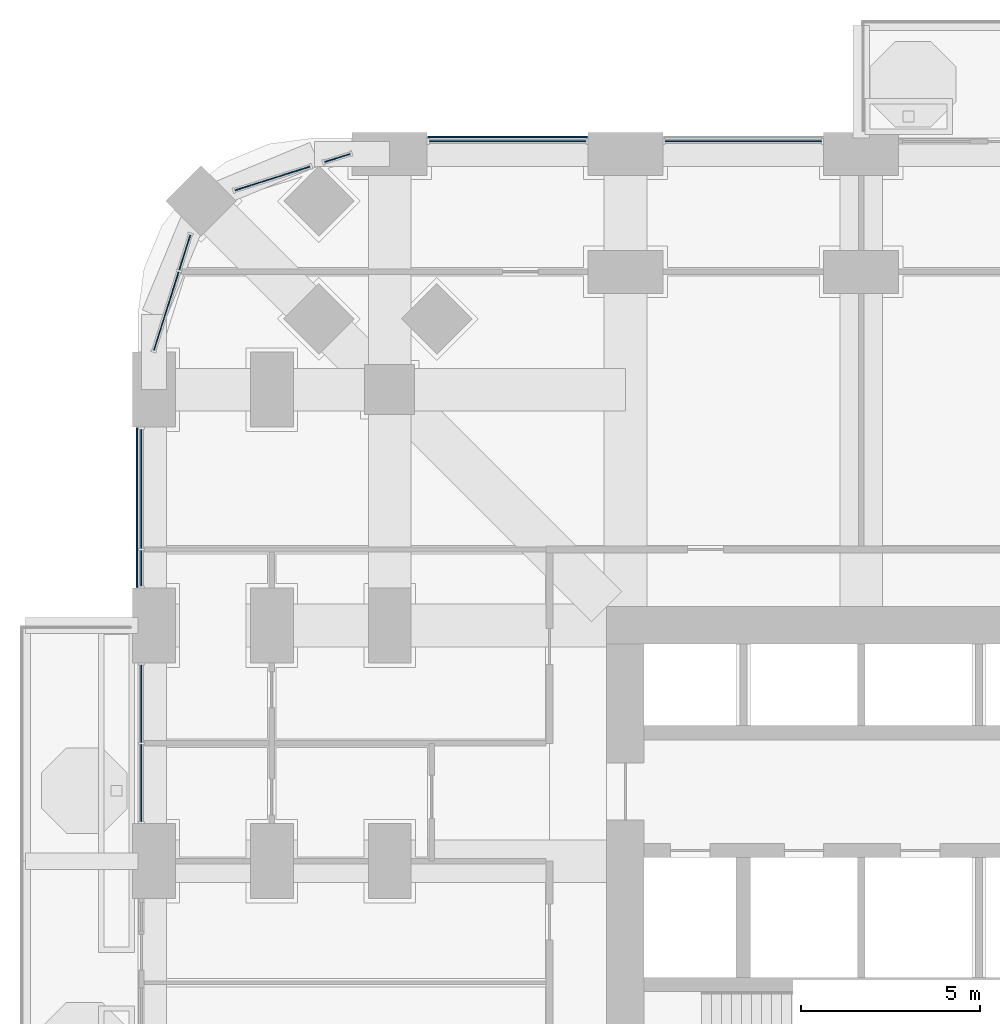
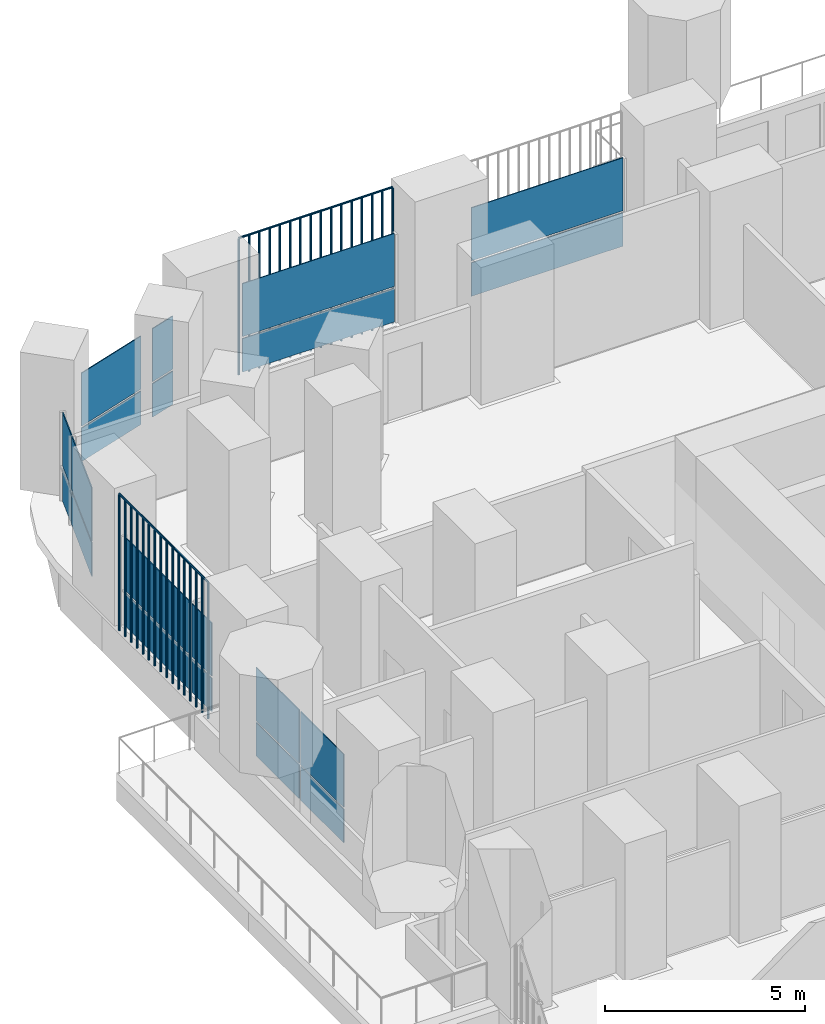
# One storey, part 14 of 26: 22 plates, 7 elements without a shape of their own.
"""IFC4 building model written with IfcOpenShell, lengths in metres."""

import ifcopenshell
import ifcopenshell.guid

model = None  # the IFC model being written
_history = None  # IfcOwnerHistory: only IFC2X3 demands one
_inside = {}  # id of a spatial element -> (the spatial element, [elements in it])
_under = {}  # id of a project, library or spatial element -> (it, [spatial elements below it])
_declared = {}  # id of a project -> (the project, [libraries it declares])
_typed = {}  # id of a type object -> (the type object, [elements of that type])
_made_of = {}  # id of a material, layer set ... -> (it, [elements and type objects made of it])


def new_model(schema):
    """Start an empty IFC model of exactly this schema.

    Asked for "IFC4X3", IfcOpenShell would pick the latest addendum, in which some entities
    have other attributes; the version numbers below select the first issue.
    IFC2X3 requires an IfcOwnerHistory on every rooted entity: one is made here for all.
    """
    global model, _history
    if schema == "IFC4X3":
        model = ifcopenshell.file(schema_version=(4, 3, 0, 0))
    else:
        model = ifcopenshell.file(schema=schema)
    _inside.clear()
    _under.clear()
    _declared.clear()
    _typed.clear()
    _made_of.clear()
    _history = None
    if model.schema == "IFC2X3":
        org = make("IfcOrganization", Name="unknown")
        user = make(
            "IfcPersonAndOrganization",
            ThePerson=make("IfcPerson", FamilyName="unknown"),
            TheOrganization=org,
        )
        app = make(
            "IfcApplication",
            ApplicationDeveloper=org,
            Version="unknown",
            ApplicationFullName="unknown",
            ApplicationIdentifier="unknown",
        )
        _history = make(
            "IfcOwnerHistory",
            OwningUser=user,
            OwningApplication=app,
            ChangeAction="ADDED",
            CreationDate=0,
        )
    return model


def make(cls, **values):
    """One entity of the class cls with the attributes given. An attribute that is None is left unset."""
    return model.create_entity(
        cls, **{name: value for name, value in values.items() if value is not None}
    )


def rooted(cls, **values):
    """An entity with a GlobalId (a new one), such as an element, a storey or a relation."""
    return make(cls, GlobalId=ifcopenshell.guid.new(), OwnerHistory=_history, **values)


def si_unit(unit_type, name, prefix=None):
    """IfcSIUnit, for example si_unit("LENGTHUNIT", "METRE", prefix="MILLI")."""
    return make("IfcSIUnit", UnitType=unit_type, Prefix=prefix, Name=name)


def assignment(units):
    """IfcUnitAssignment: the units of a project."""
    return None if units is None else make("IfcUnitAssignment", Units=units)


def point(xyz):
    """IfcCartesianPoint."""
    return None if xyz is None else make("IfcCartesianPoint", Coordinates=xyz)


def direction(xyz):
    """IfcDirection."""
    return None if xyz is None else make("IfcDirection", DirectionRatios=xyz)


def frame(location, z_axis=None, x_axis=None):
    """IfcAxis2Placement3D, a coordinate frame: its origin and axes. An axis left out is left unset."""
    return make(
        "IfcAxis2Placement3D",
        Location=point(location),
        Axis=direction(z_axis),
        RefDirection=direction(x_axis),
    )


def frame_2d(location, x_axis=None):
    """IfcAxis2Placement2D, a coordinate frame in the plane: its origin and x axis."""
    return make(
        "IfcAxis2Placement2D", Location=point(location), RefDirection=direction(x_axis)
    )


def origin():
    """The frame at (0, 0, 0) with its axes left unset."""
    return frame((0.0, 0.0, 0.0))


def origin_2d():
    """The frame at (0, 0) in the plane with its x axis left unset."""
    return frame_2d((0.0, 0.0))


def place(relative_to, where):
    """IfcLocalPlacement: puts the frame where relative to a parent placement (None: the world)."""
    return make(
        "IfcLocalPlacement", PlacementRelTo=relative_to, RelativePlacement=where
    )


def context(
    kind, dimensions, precision=None, world=None, true_north=None, identifier=None
):
    """IfcGeometricRepresentationContext, for example the 3D "Model" context."""
    return make(
        "IfcGeometricRepresentationContext",
        ContextIdentifier=identifier,
        ContextType=kind,
        CoordinateSpaceDimension=dimensions,
        Precision=precision,
        WorldCoordinateSystem=world,
        TrueNorth=true_north,
    )


def subcontext(parent, identifier, kind, view, scale=None):
    """IfcGeometricRepresentationSubContext, for example "Body" below "Model"."""
    return make(
        "IfcGeometricRepresentationSubContext",
        ContextIdentifier=identifier,
        ContextType=kind,
        ParentContext=parent,
        TargetScale=scale,
        TargetView=view,
    )


def project(units=None, contexts=None):
    """IfcProject with its units and contexts."""
    return rooted(
        "IfcProject",
        Name="project",
        RepresentationContexts=contexts,
        UnitsInContext=assignment(units),
    )


def spatial(cls, under=None, at=None, **own):
    """A site, building, storey or space (cls), placed at a placement, below another one or the project."""
    s = rooted(cls, ObjectPlacement=at, **own)
    if under is not None:
        _under.setdefault(under.id(), (under, []))[1].append(s)
    return s


def polyline(points):
    """IfcPolyline through the points."""
    return make("IfcPolyline", Points=[point(p) for p in points])


def profile(cls, at=None, kind="AREA", **sizes):
    """A parametric profile (cls). Its sizes go by their IFC names, for example OverallWidth=200.0."""
    return make(cls, ProfileType=kind, Position=at, **sizes)


def rectangle(**sizes):
    """IfcRectangleProfileDef."""
    return profile("IfcRectangleProfileDef", **sizes)


def outline(outer, holes=None, kind="AREA"):
    """IfcArbitraryClosedProfileDef: a profile drawn as a closed curve; with holes, ...WithVoids."""
    if holes is None:
        return make("IfcArbitraryClosedProfileDef", ProfileType=kind, OuterCurve=outer)
    return make(
        "IfcArbitraryProfileDefWithVoids",
        ProfileType=kind,
        OuterCurve=outer,
        InnerCurves=holes,
    )


def extrude(swept, where, along, depth):
    """IfcExtrudedAreaSolid: the profile swept, set in the frame where, extruded along a direction by depth."""
    return make(
        "IfcExtrudedAreaSolid",
        SweptArea=swept,
        Position=where,
        ExtrudedDirection=direction(along),
        Depth=depth,
    )


def shape(context_of_items, identifier, shape_type, items):
    """IfcShapeRepresentation: the items that make up one representation, for example the "Body"."""
    return make(
        "IfcShapeRepresentation",
        ContextOfItems=context_of_items,
        RepresentationIdentifier=identifier,
        RepresentationType=shape_type,
        Items=items,
    )


def material(Name=None, Category=None):
    """IfcMaterial."""
    return make("IfcMaterial", Name=Name, Category=Category)


def layer(
    of_material, thickness, ventilated=None, Name=None, Category=None, Priority=None
):
    """IfcMaterialLayer: one layer of a wall or slab, of a material (None: an air gap)."""
    return make(
        "IfcMaterialLayer",
        Material=of_material,
        LayerThickness=thickness,
        IsVentilated=ventilated,
        Name=Name,
        Category=Category,
        Priority=Priority,
    )


def layer_set(layers, Name=None):
    """IfcMaterialLayerSet."""
    return make("IfcMaterialLayerSet", MaterialLayers=layers, LayerSetName=Name)


def made_of(thing, what):
    """Note that an element or type object is made of a material, layer set ...; save() writes the relation."""
    if what is not None:
        _made_of.setdefault(what.id(), (what, []))[1].append(thing)
    return thing


def type_object(cls, material=None, **own):
    """A type object (cls), such as IfcWallType, which elements share."""
    return made_of(rooted(cls, **own), material)


def element(
    cls,
    number,
    at=None,
    inside=None,
    cuts=None,
    type_object=None,
    material=None,
    context=None,
    identifier="Body",
    shape_type=None,
    held_by="IfcProductDefinitionShape",
    body=None,
    shapes=None,
    **own,
):
    """One element of the class cls, such as IfcWall. Its Tag is "e" and its number.

    at: its placement. inside: the storey or other place that contains it. cuts: it is an
    opening in that element (IfcRelVoidsElement). A single representation is given by context,
    identifier, shape_type and body (its items); several are given by shapes. held_by: the class
    of the entity that holds the representations. save() writes the other relations.
    """
    e = rooted(cls, Tag="e%d" % number, ObjectPlacement=at, **own)
    if body is not None:
        shapes = [shape(context, identifier, shape_type, body)]
    if shapes is not None:
        e.Representation = make(held_by, Representations=shapes)
    if inside is not None:
        _inside.setdefault(inside.id(), (inside, []))[1].append(e)
    if cuts is not None:
        rooted(
            "IfcRelVoidsElement", RelatingBuildingElement=cuts, RelatedOpeningElement=e
        )
    if type_object is not None:
        _typed.setdefault(type_object.id(), (type_object, []))[1].append(e)
    return made_of(e, material)


def aggregate(whole, parts):
    """IfcRelAggregates: a whole, such as a stair, and the parts it consists of."""
    return rooted("IfcRelAggregates", RelatingObject=whole, RelatedObjects=parts)


def save(model, path):
    """Write the relations noted so far, then the file.

    IfcRelAggregates (storeys below a building ...), IfcRelContainedInSpatialStructure (elements
    in a storey), IfcRelDefinesByType, IfcRelAssociatesMaterial and IfcRelDeclares: one each for
    every whole, place, type object, material and project.
    """
    for whole, parts in _under.values():
        aggregate(whole, parts)
    for where, things in _inside.values():
        rooted(
            "IfcRelContainedInSpatialStructure",
            RelatedElements=things,
            RelatingStructure=where,
        )
    for kind, things in _typed.values():
        rooted("IfcRelDefinesByType", RelatedObjects=things, RelatingType=kind)
    for what, things in _made_of.values():
        rooted("IfcRelAssociatesMaterial", RelatedObjects=things, RelatingMaterial=what)
    for by, libraries in _declared.values():
        rooted("IfcRelDeclares", RelatingContext=by, RelatedDefinitions=libraries)
    model.write(path)


model = new_model("IFC4")

# Units and contexts
model_context = context("Model", 3, precision=1e-05, world=origin(), true_north=direction((0.0, 1.0)))
body_context = subcontext(model_context, "Body", "Model", "MODEL_VIEW")
ifc_project = project(units=[si_unit("LENGTHUNIT", "METRE"), si_unit("AREAUNIT", "SQUARE_METRE"), si_unit("VOLUMEUNIT", "CUBIC_METRE"), si_unit("PLANEANGLEUNIT", "RADIAN"), si_unit("MASSUNIT", "GRAM", prefix="KILO")], contexts=[model_context])

# Site, building, storey
site_placement = place(None, origin())
site = spatial("IfcSite", under=ifc_project, at=site_placement, CompositionType="ELEMENT")
building_placement = place(site_placement, origin())
building = spatial("IfcBuilding", under=site, at=building_placement, Name="Cobogo Forest Laboratory Tower", CompositionType="ELEMENT")
storey_placement = place(building_placement, frame((0.0, 0.0, 42.300048828125)))
storey = spatial("IfcBuildingStorey", under=building, at=storey_placement, Name="L09", CompositionType="ELEMENT", Elevation=42.300048828125)

# Curtain wall, plates
ifc_material_1 = material(Name="Aluminium curtain wall", Category="aluminium")
curtain_wall_type = type_object("IfcCurtainWallType", Name="CW-1 unitised curtain wall, clear glazing, laboratory floors zones A and B", PredefinedType="USERDEFINED", material=ifc_material_1)
curtain_wall_1_placement = place(storey_placement, origin())
curtain_wall_1 = element("IfcCurtainWall", 1, at=curtain_wall_1_placement, inside=storey, type_object=curtain_wall_type, Name="Curtain wall 22 L09", ObjectType="UNITISED CURTAIN WALL", PredefinedType="USERDEFINED")
ifc_material_2 = material(Name="Clear insulated glass", Category="glass")
ifc_layer = layer(ifc_material_2, 0.028076171875)
ifc_layer_set = layer_set([ifc_layer], Name="GP-1 clear insulated glass unit 28")
plate_type_1 = type_object("IfcPlateType", Name="GP-1 clear insulated glass unit 28", PredefinedType="CURTAIN_PANEL", material=ifc_layer_set)
plate_1_placement = place(storey_placement, frame((16.5, 46.550048828125, 0.0), z_axis=(0.0, 0.0, 1.0), x_axis=(-1.0, 0.0, 0.0)))
plate_1 = element("IfcPlate", 2, at=plate_1_placement, type_object=plate_type_1, Name="CW-1 panel 1.1", PredefinedType="CURTAIN_PANEL", context=body_context, shape_type="SweptSolid", body=[
    extrude(rectangle(XDim=4.3798828125, YDim=0.028076171875, at=origin_2d()), origin(), (0.0, 0.0, 1.0), 1.02001953125),
])
plate_2_placement = place(storey_placement, frame((16.5, 46.550048828125, 1.079833984375), z_axis=(0.0, 0.0, 1.0), x_axis=(-1.0, 0.0, 0.0)))
plate_2 = element("IfcPlate", 3, at=plate_2_placement, type_object=plate_type_1, Name="CW-1 panel 1.2", PredefinedType="CURTAIN_PANEL", context=body_context, shape_type="SweptSolid", body=[
    extrude(rectangle(XDim=4.3798828125, YDim=0.028076171875, at=origin_2d()), origin(), (0.0, 0.0, 1.0), 1.6201171875),
])
aggregate(curtain_wall_1, [plate_1, plate_2])

curtain_wall_2_placement = place(storey_placement, origin())
curtain_wall_2 = element("IfcCurtainWall", 4, at=curtain_wall_2_placement, inside=storey, type_object=curtain_wall_type, Name="Curtain wall 23 L09", ObjectType="UNITISED CURTAIN WALL", PredefinedType="USERDEFINED")
plate_3_placement = place(storey_placement, frame((9.89990234375, 46.550048828125, 0.0), z_axis=(0.0, 0.0, 1.0), x_axis=(-1.0, 0.0, 0.0)))
plate_3 = element("IfcPlate", 5, at=plate_3_placement, type_object=plate_type_1, Name="CW-1 panel 1.1", PredefinedType="CURTAIN_PANEL", context=body_context, shape_type="SweptSolid", body=[
    extrude(rectangle(XDim=4.3798828125, YDim=0.028076171875, at=origin_2d()), origin(), (0.0, 0.0, 1.0), 1.02001953125),
])
plate_4_placement = place(storey_placement, frame((9.89990234375, 46.550048828125, 1.079833984375), z_axis=(0.0, 0.0, 1.0), x_axis=(-1.0, 0.0, 0.0)))
plate_4 = element("IfcPlate", 6, at=plate_4_placement, type_object=plate_type_1, Name="CW-1 panel 1.2", PredefinedType="CURTAIN_PANEL", context=body_context, shape_type="SweptSolid", body=[
    extrude(rectangle(XDim=4.3798828125, YDim=0.028076171875, at=origin_2d()), origin(), (0.0, 0.0, 1.0), 1.6201171875),
])
aggregate(curtain_wall_2, [plate_3, plate_4])

curtain_wall_3_placement = place(storey_placement, origin())
curtain_wall_3 = element("IfcCurtainWall", 7, at=curtain_wall_3_placement, inside=storey, type_object=curtain_wall_type, Name="Curtain wall 24 L09", ObjectType="UNITISED CURTAIN WALL", PredefinedType="USERDEFINED")
plate_5_placement = place(storey_placement, frame((5.134033203125, 46.087158203125, 0.0), z_axis=(0.0, 0.0, 1.0), x_axis=(-0.953581504428, -0.301135043481, 0.0)))
plate_5 = element("IfcPlate", 8, at=plate_5_placement, type_object=plate_type_1, Name="CW-1 panel 1.1", PredefinedType="CURTAIN_PANEL", context=body_context, shape_type="SweptSolid", body=[
    extrude(rectangle(XDim=0.75244140625, YDim=0.028076171875, at=origin_2d()), origin(), (0.0, 0.0, 1.0), 1.02001953125),
])
plate_6_placement = place(storey_placement, frame((5.134033203125, 46.087158203125, 1.079833984375), z_axis=(0.0, 0.0, 1.0), x_axis=(-0.953581504428, -0.301135043481, 0.0)))
plate_6 = element("IfcPlate", 9, at=plate_6_placement, type_object=plate_type_1, Name="CW-1 panel 1.2", PredefinedType="CURTAIN_PANEL", context=body_context, shape_type="SweptSolid", body=[
    extrude(rectangle(XDim=0.75244140625, YDim=0.028076171875, at=origin_2d()), origin(), (0.0, 0.0, 1.0), 1.6201171875),
])
aggregate(curtain_wall_3, [plate_5, plate_6])

curtain_wall_4_placement = place(storey_placement, origin())
curtain_wall_4 = element("IfcCurtainWall", 10, at=curtain_wall_4_placement, inside=storey, type_object=curtain_wall_type, Name="Curtain wall 25 L09", ObjectType="UNITISED CURTAIN WALL", PredefinedType="USERDEFINED")
plate_7_placement = place(storey_placement, frame((3.31787109375, 45.513427734375, 0.0), z_axis=(0.0, 0.0, 1.0), x_axis=(-0.953581409645, -0.301135343623, 0.0)))
plate_7 = element("IfcPlate", 11, at=plate_7_placement, type_object=plate_type_1, Name="CW-1 panel 1.1", PredefinedType="CURTAIN_PANEL", context=body_context, shape_type="SweptSolid", body=[
    extrude(rectangle(XDim=2.203369140625, YDim=0.028076171875, at=origin_2d()), origin(), (0.0, 0.0, 1.0), 1.02001953125),
])
plate_8_placement = place(storey_placement, frame((3.31787109375, 45.513427734375, 1.079833984375), z_axis=(0.0, 0.0, 1.0), x_axis=(-0.953581409645, -0.301135343623, 0.0)))
plate_8 = element("IfcPlate", 12, at=plate_8_placement, type_object=plate_type_1, Name="CW-1 panel 1.2", PredefinedType="CURTAIN_PANEL", context=body_context, shape_type="SweptSolid", body=[
    extrude(rectangle(XDim=2.203369140625, YDim=0.028076171875, at=origin_2d()), origin(), (0.0, 0.0, 1.0), 1.6201171875),
])
aggregate(curtain_wall_4, [plate_7, plate_8])

curtain_wall_5_placement = place(storey_placement, origin())
curtain_wall_5 = element("IfcCurtainWall", 13, at=curtain_wall_5_placement, inside=storey, type_object=curtain_wall_type, Name="Curtain wall 26 L09", ObjectType="UNITISED CURTAIN WALL", PredefinedType="USERDEFINED")
plate_9_placement = place(storey_placement, frame((0.863525390625, 43.442626953125, 0.0), z_axis=(0.0, 0.0, 1.0), x_axis=(-0.30113535792, -0.95358140513, 0.0)))
plate_9 = element("IfcPlate", 14, at=plate_9_placement, type_object=plate_type_1, Name="CW-1 panel 1.1", PredefinedType="CURTAIN_PANEL", context=body_context, shape_type="SweptSolid", body=[
    extrude(rectangle(XDim=1.027587890625, YDim=0.028076171875, at=origin_2d()), origin(), (0.0, 0.0, 1.0), 1.02001953125),
])
plate_10_placement = place(storey_placement, frame((0.863525390625, 43.442626953125, 1.079833984375), z_axis=(0.0, 0.0, 1.0), x_axis=(-0.30113535792, -0.95358140513, 0.0)))
plate_10 = element("IfcPlate", 15, at=plate_10_placement, type_object=plate_type_1, Name="CW-1 panel 1.2", PredefinedType="CURTAIN_PANEL", context=body_context, shape_type="SweptSolid", body=[
    extrude(rectangle(XDim=1.027587890625, YDim=0.028076171875, at=origin_2d()), origin(), (0.0, 0.0, 1.0), 1.6201171875),
])
plate_11_placement = place(storey_placement, frame((0.34521484375, 41.80126953125, 0.0), z_axis=(0.0, 0.0, 1.0), x_axis=(-0.30113535792, -0.95358140513, 0.0)))
plate_11 = element("IfcPlate", 16, at=plate_11_placement, type_object=plate_type_1, Name="CW-1 panel 2.1", PredefinedType="CURTAIN_PANEL", context=body_context, shape_type="SweptSolid", body=[
    extrude(rectangle(XDim=2.294677734375, YDim=0.028076171875, at=origin_2d()), origin(), (0.0, 0.0, 1.0), 1.02001953125),
])
plate_12_placement = place(storey_placement, frame((0.34521484375, 41.80126953125, 1.079833984375), z_axis=(0.0, 0.0, 1.0), x_axis=(-0.30113535792, -0.95358140513, 0.0)))
plate_12 = element("IfcPlate", 17, at=plate_12_placement, type_object=plate_type_1, Name="CW-1 panel 2.2", PredefinedType="CURTAIN_PANEL", context=body_context, shape_type="SweptSolid", body=[
    extrude(rectangle(XDim=2.294677734375, YDim=0.028076171875, at=origin_2d()), origin(), (0.0, 0.0, 1.0), 1.6201171875),
])
aggregate(curtain_wall_5, [plate_9, plate_10, plate_11, plate_12])

curtain_wall_6_placement = place(storey_placement, origin())
curtain_wall_6 = element("IfcCurtainWall", 18, at=curtain_wall_6_placement, inside=storey, type_object=curtain_wall_type, Name="Curtain wall 27 L09", ObjectType="UNITISED CURTAIN WALL", PredefinedType="USERDEFINED")
plate_13_placement = place(storey_placement, frame((-0.35009765625, 36.822509765625, 0.0), z_axis=(0.0, 0.0, 1.0), x_axis=(0.0, -1.0, 0.0)))
plate_13 = element("IfcPlate", 19, at=plate_13_placement, type_object=plate_type_1, Name="CW-1 panel 1.1", PredefinedType="CURTAIN_PANEL", context=body_context, shape_type="SweptSolid", body=[
    extrude(rectangle(XDim=3.3349609375, YDim=0.028076171875, at=origin_2d()), origin(), (0.0, 0.0, 1.0), 1.02001953125),
])
plate_14_placement = place(storey_placement, frame((-0.35009765625, 36.822509765625, 1.079833984375), z_axis=(0.0, 0.0, 1.0), x_axis=(0.0, -1.0, 0.0)))
plate_14 = element("IfcPlate", 20, at=plate_14_placement, type_object=plate_type_1, Name="CW-1 panel 1.2", PredefinedType="CURTAIN_PANEL", context=body_context, shape_type="SweptSolid", body=[
    extrude(rectangle(XDim=3.3349609375, YDim=0.028076171875, at=origin_2d()), origin(), (0.0, 0.0, 1.0), 1.6201171875),
])
plate_15_placement = place(storey_placement, frame((-0.35009765625, 34.6025390625, 0.0), z_axis=(0.0, 0.0, 1.0), x_axis=(0.0, -1.0, 0.0)))
plate_15 = element("IfcPlate", 21, at=plate_15_placement, type_object=plate_type_1, Name="CW-1 panel 2.1", PredefinedType="CURTAIN_PANEL", context=body_context, shape_type="SweptSolid", body=[
    extrude(rectangle(XDim=0.985107421875, YDim=0.028076171875, at=origin_2d()), origin(), (0.0, 0.0, 1.0), 1.02001953125),
])
plate_16_placement = place(storey_placement, frame((-0.35009765625, 34.6025390625, 1.079833984375), z_axis=(0.0, 0.0, 1.0), x_axis=(0.0, -1.0, 0.0)))
plate_16 = element("IfcPlate", 22, at=plate_16_placement, type_object=plate_type_1, Name="CW-1 panel 2.2", PredefinedType="CURTAIN_PANEL", context=body_context, shape_type="SweptSolid", body=[
    extrude(rectangle(XDim=0.985107421875, YDim=0.028076171875, at=origin_2d()), origin(), (0.0, 0.0, 1.0), 1.6201171875),
])
aggregate(curtain_wall_6, [plate_13, plate_14, plate_15, plate_16])

curtain_wall_7_placement = place(storey_placement, origin())
curtain_wall_7 = element("IfcCurtainWall", 23, at=curtain_wall_7_placement, inside=storey, type_object=curtain_wall_type, Name="Curtain wall 28 L09", ObjectType="UNITISED CURTAIN WALL", PredefinedType="USERDEFINED")
plate_17_placement = place(storey_placement, frame((-0.35009765625, 30.81005859375, 0.0), z_axis=(0.0, 0.0, 1.0), x_axis=(0.0, -1.0, 0.0)))
plate_17 = element("IfcPlate", 24, at=plate_17_placement, type_object=plate_type_1, Name="CW-1 panel 1.1", PredefinedType="CURTAIN_PANEL", context=body_context, shape_type="SweptSolid", body=[
    extrude(rectangle(XDim=2.159912109375, YDim=0.028076171875, at=origin_2d()), origin(), (0.0, 0.0, 1.0), 1.02001953125),
])
plate_18_placement = place(storey_placement, frame((-0.35009765625, 30.81005859375, 1.079833984375), z_axis=(0.0, 0.0, 1.0), x_axis=(0.0, -1.0, 0.0)))
plate_18 = element("IfcPlate", 25, at=plate_18_placement, type_object=plate_type_1, Name="CW-1 panel 1.2", PredefinedType="CURTAIN_PANEL", context=body_context, shape_type="SweptSolid", body=[
    extrude(rectangle(XDim=2.159912109375, YDim=0.028076171875, at=origin_2d()), origin(), (0.0, 0.0, 1.0), 1.6201171875),
])
plate_19_placement = place(storey_placement, frame((-0.35009765625, 28.590087890625, 0.0), z_axis=(0.0, 0.0, 1.0), x_axis=(0.0, -1.0, 0.0)))
plate_19 = element("IfcPlate", 26, at=plate_19_placement, type_object=plate_type_1, Name="CW-1 panel 2.1", PredefinedType="CURTAIN_PANEL", context=body_context, shape_type="SweptSolid", body=[
    extrude(rectangle(XDim=2.159912109375, YDim=0.028076171875, at=origin_2d()), origin(), (0.0, 0.0, 1.0), 1.02001953125),
])
plate_20_placement = place(storey_placement, frame((-0.35009765625, 28.590087890625, 1.079833984375), z_axis=(0.0, 0.0, 1.0), x_axis=(0.0, -1.0, 0.0)))
plate_20 = element("IfcPlate", 27, at=plate_20_placement, type_object=plate_type_1, Name="CW-1 panel 2.2", PredefinedType="CURTAIN_PANEL", context=body_context, shape_type="SweptSolid", body=[
    extrude(rectangle(XDim=2.159912109375, YDim=0.028076171875, at=origin_2d()), origin(), (0.0, 0.0, 1.0), 1.6201171875),
])
aggregate(curtain_wall_7, [plate_17, plate_18, plate_19, plate_20])

# Plates
ifc_material_3 = material(Name="Terracotta", Category="masonry")
plate_type_2 = type_object("IfcPlateType", Name="TB1 terracotta baguette screen", PredefinedType="USERDEFINED", material=ifc_material_3)
plate_21_placement = place(storey_placement, frame((7.68115234375, 46.677978515625, -0.150146484375)))
element("IfcPlate", 28, at=plate_21_placement, inside=storey, type_object=plate_type_2, Name="Baguette screen N1 L09", ObjectType="BAGUETTE SCREEN", PredefinedType="USERDEFINED", context=body_context, shape_type="SweptSolid", body=[
    extrude(outline(polyline([(0.02880859375, 0.011962890625), (0.011962890625, 0.02880859375), (-0.011962890625, 0.02880859375), (-0.02880859375, 0.011962890625), (-0.02880859375, -0.011962890625), (-0.011962890625, -0.02880859375), (0.011962890625, -0.02880859375), (0.02880859375, -0.011962890625), (0.02880859375, 0.011962890625)])), frame((0.0, 0.0, 4.168701171875), z_axis=(1.0, 0.0, 0.0), x_axis=(0.0, 1.0, 0.0)), (0.0, 0.0, 1.0), 4.4375),
    extrude(outline(polyline([(0.02880859375, 0.011962890625), (0.011962890625, 0.02880859375), (-0.011962890625, 0.02880859375), (-0.02880859375, 0.011962890625), (-0.02880859375, -0.011962890625), (-0.011962890625, -0.02880859375), (0.011962890625, -0.02880859375), (0.02880859375, -0.011962890625), (0.02880859375, 0.011962890625)])), origin(), (0.0, 0.0, 1.0), 4.137451171875),
    extrude(outline(polyline([(0.02880859375, 0.011962890625), (0.011962890625, 0.02880859375), (-0.011962890625, 0.02880859375), (-0.02880859375, 0.011962890625), (-0.02880859375, -0.011962890625), (-0.011962890625, -0.02880859375), (0.011962890625, -0.02880859375), (0.02880859375, -0.011962890625), (0.02880859375, 0.011962890625)])), frame((0.2958984375, 0.0, 0.0)), (0.0, 0.0, 1.0), 4.137451171875),
    extrude(outline(polyline([(0.02880859375, 0.011962890625), (0.011962890625, 0.02880859375), (-0.011962890625, 0.02880859375), (-0.02880859375, 0.011962890625), (-0.02880859375, -0.011962890625), (-0.011962890625, -0.02880859375), (0.011962890625, -0.02880859375), (0.02880859375, -0.011962890625), (0.02880859375, 0.011962890625)])), frame((0.591552734375, 0.0, 0.0)), (0.0, 0.0, 1.0), 4.137451171875),
    extrude(outline(polyline([(0.02880859375, 0.011962890625), (0.011962890625, 0.02880859375), (-0.011962890625, 0.02880859375), (-0.02880859375, 0.011962890625), (-0.02880859375, -0.011962890625), (-0.011962890625, -0.02880859375), (0.011962890625, -0.02880859375), (0.02880859375, -0.011962890625), (0.02880859375, 0.011962890625)])), frame((0.887451171875, 0.0, 0.0)), (0.0, 0.0, 1.0), 4.137451171875),
    extrude(outline(polyline([(0.02880859375, 0.011962890625), (0.011962890625, 0.02880859375), (-0.011962890625, 0.02880859375), (-0.02880859375, 0.011962890625), (-0.02880859375, -0.011962890625), (-0.011962890625, -0.02880859375), (0.011962890625, -0.02880859375), (0.02880859375, -0.011962890625), (0.02880859375, 0.011962890625)])), frame((1.183349609375, 0.0, 0.0)), (0.0, 0.0, 1.0), 4.137451171875),
    extrude(outline(polyline([(0.02880859375, 0.011962890625), (0.011962890625, 0.02880859375), (-0.011962890625, 0.02880859375), (-0.02880859375, 0.011962890625), (-0.02880859375, -0.011962890625), (-0.011962890625, -0.02880859375), (0.011962890625, -0.02880859375), (0.02880859375, -0.011962890625), (0.02880859375, 0.011962890625)])), frame((1.479248046875, 0.0, 0.0)), (0.0, 0.0, 1.0), 4.137451171875),
    extrude(outline(polyline([(0.02880859375, 0.011962890625), (0.011962890625, 0.02880859375), (-0.011962890625, 0.02880859375), (-0.02880859375, 0.011962890625), (-0.02880859375, -0.011962890625), (-0.011962890625, -0.02880859375), (0.011962890625, -0.02880859375), (0.02880859375, -0.011962890625), (0.02880859375, 0.011962890625)])), frame((1.77490234375, 0.0, 0.0)), (0.0, 0.0, 1.0), 4.137451171875),
    extrude(outline(polyline([(0.02880859375, 0.011962890625), (0.011962890625, 0.02880859375), (-0.011962890625, 0.02880859375), (-0.02880859375, 0.011962890625), (-0.02880859375, -0.011962890625), (-0.011962890625, -0.02880859375), (0.011962890625, -0.02880859375), (0.02880859375, -0.011962890625), (0.02880859375, 0.011962890625)])), frame((2.07080078125, 0.0, 0.0)), (0.0, 0.0, 1.0), 4.137451171875),
    extrude(outline(polyline([(0.02880859375, 0.011962890625), (0.011962890625, 0.02880859375), (-0.011962890625, 0.02880859375), (-0.02880859375, 0.011962890625), (-0.02880859375, -0.011962890625), (-0.011962890625, -0.02880859375), (0.011962890625, -0.02880859375), (0.02880859375, -0.011962890625), (0.02880859375, 0.011962890625)])), frame((2.36669921875, 0.0, 0.0)), (0.0, 0.0, 1.0), 4.137451171875),
    extrude(outline(polyline([(0.02880859375, 0.011962890625), (0.011962890625, 0.02880859375), (-0.011962890625, 0.02880859375), (-0.02880859375, 0.011962890625), (-0.02880859375, -0.011962890625), (-0.011962890625, -0.02880859375), (0.011962890625, -0.02880859375), (0.02880859375, -0.011962890625), (0.02880859375, 0.011962890625)])), frame((2.66259765625, 0.0, 0.0)), (0.0, 0.0, 1.0), 4.137451171875),
    extrude(outline(polyline([(0.02880859375, 0.011962890625), (0.011962890625, 0.02880859375), (-0.011962890625, 0.02880859375), (-0.02880859375, 0.011962890625), (-0.02880859375, -0.011962890625), (-0.011962890625, -0.02880859375), (0.011962890625, -0.02880859375), (0.02880859375, -0.011962890625), (0.02880859375, 0.011962890625)])), frame((2.958251953125, 0.0, 0.0)), (0.0, 0.0, 1.0), 4.137451171875),
    extrude(outline(polyline([(0.02880859375, 0.011962890625), (0.011962890625, 0.02880859375), (-0.011962890625, 0.02880859375), (-0.02880859375, 0.011962890625), (-0.02880859375, -0.011962890625), (-0.011962890625, -0.02880859375), (0.011962890625, -0.02880859375), (0.02880859375, -0.011962890625), (0.02880859375, 0.011962890625)])), frame((3.254150390625, 0.0, 0.0)), (0.0, 0.0, 1.0), 4.137451171875),
    extrude(outline(polyline([(0.02880859375, 0.011962890625), (0.011962890625, 0.02880859375), (-0.011962890625, 0.02880859375), (-0.02880859375, 0.011962890625), (-0.02880859375, -0.011962890625), (-0.011962890625, -0.02880859375), (0.011962890625, -0.02880859375), (0.02880859375, -0.011962890625), (0.02880859375, 0.011962890625)])), frame((3.550048828125, 0.0, 0.0)), (0.0, 0.0, 1.0), 4.137451171875),
    extrude(outline(polyline([(0.02880859375, 0.011962890625), (0.011962890625, 0.02880859375), (-0.011962890625, 0.02880859375), (-0.02880859375, 0.011962890625), (-0.02880859375, -0.011962890625), (-0.011962890625, -0.02880859375), (0.011962890625, -0.02880859375), (0.02880859375, -0.011962890625), (0.02880859375, 0.011962890625)])), frame((3.845947265625, 0.0, 0.0)), (0.0, 0.0, 1.0), 4.137451171875),
    extrude(outline(polyline([(0.02880859375, 0.011962890625), (0.011962890625, 0.02880859375), (-0.011962890625, 0.02880859375), (-0.02880859375, 0.011962890625), (-0.02880859375, -0.011962890625), (-0.011962890625, -0.02880859375), (0.011962890625, -0.02880859375), (0.02880859375, -0.011962890625), (0.02880859375, 0.011962890625)])), frame((4.1416015625, 0.0, 0.0)), (0.0, 0.0, 1.0), 4.137451171875),
    extrude(outline(polyline([(0.02880859375, 0.011962890625), (0.011962890625, 0.02880859375), (-0.011962890625, 0.02880859375), (-0.02880859375, 0.011962890625), (-0.02880859375, -0.011962890625), (-0.011962890625, -0.02880859375), (0.011962890625, -0.02880859375), (0.02880859375, -0.011962890625), (0.02880859375, 0.011962890625)])), frame((4.4375, 0.0, 0.0)), (0.0, 0.0, 1.0), 4.137451171875),
])
plate_22_placement = place(storey_placement, frame((-0.477783203125, 34.081298828125, -0.150146484375)))
element("IfcPlate", 29, at=plate_22_placement, inside=storey, type_object=plate_type_2, Name="Baguette screen W5 L09", ObjectType="BAGUETTE SCREEN", PredefinedType="USERDEFINED", context=body_context, shape_type="SweptSolid", body=[
    extrude(outline(polyline([(0.02880859375, 0.011962890625), (0.011962890625, 0.02880859375), (-0.011962890625, 0.02880859375), (-0.02880859375, 0.011962890625), (-0.02880859375, -0.011962890625), (-0.011962890625, -0.02880859375), (0.011962890625, -0.02880859375), (0.02880859375, -0.011962890625), (0.02880859375, 0.011962890625)])), frame((0.0, 0.0, 4.168701171875), z_axis=(0.0, 1.0, 0.0), x_axis=(-1.0, 0.0, 0.0)), (0.0, 0.0, 1.0), 4.4375),
    extrude(outline(polyline([(0.02880859375, 0.011962890625), (0.011962890625, 0.02880859375), (-0.011962890625, 0.02880859375), (-0.02880859375, 0.011962890625), (-0.02880859375, -0.011962890625), (-0.011962890625, -0.02880859375), (0.011962890625, -0.02880859375), (0.02880859375, -0.011962890625), (0.02880859375, 0.011962890625)])), origin(), (0.0, 0.0, 1.0), 4.137451171875),
    extrude(outline(polyline([(0.02880859375, 0.011962890625), (0.011962890625, 0.02880859375), (-0.011962890625, 0.02880859375), (-0.02880859375, 0.011962890625), (-0.02880859375, -0.011962890625), (-0.011962890625, -0.02880859375), (0.011962890625, -0.02880859375), (0.02880859375, -0.011962890625), (0.02880859375, 0.011962890625)])), frame((0.0, 0.2958984375, 0.0)), (0.0, 0.0, 1.0), 4.137451171875),
    extrude(outline(polyline([(0.02880859375, 0.011962890625), (0.011962890625, 0.02880859375), (-0.011962890625, 0.02880859375), (-0.02880859375, 0.011962890625), (-0.02880859375, -0.011962890625), (-0.011962890625, -0.02880859375), (0.011962890625, -0.02880859375), (0.02880859375, -0.011962890625), (0.02880859375, 0.011962890625)])), frame((0.0, 0.591552734375, 0.0)), (0.0, 0.0, 1.0), 4.137451171875),
    extrude(outline(polyline([(0.02880859375, 0.011962890625), (0.011962890625, 0.02880859375), (-0.011962890625, 0.02880859375), (-0.02880859375, 0.011962890625), (-0.02880859375, -0.011962890625), (-0.011962890625, -0.02880859375), (0.011962890625, -0.02880859375), (0.02880859375, -0.011962890625), (0.02880859375, 0.011962890625)])), frame((0.0, 0.887451171875, 0.0)), (0.0, 0.0, 1.0), 4.137451171875),
    extrude(outline(polyline([(0.02880859375, 0.011962890625), (0.011962890625, 0.02880859375), (-0.011962890625, 0.02880859375), (-0.02880859375, 0.011962890625), (-0.02880859375, -0.011962890625), (-0.011962890625, -0.02880859375), (0.011962890625, -0.02880859375), (0.02880859375, -0.011962890625), (0.02880859375, 0.011962890625)])), frame((0.0, 1.183349609375, 0.0)), (0.0, 0.0, 1.0), 4.137451171875),
    extrude(outline(polyline([(0.02880859375, 0.011962890625), (0.011962890625, 0.02880859375), (-0.011962890625, 0.02880859375), (-0.02880859375, 0.011962890625), (-0.02880859375, -0.011962890625), (-0.011962890625, -0.02880859375), (0.011962890625, -0.02880859375), (0.02880859375, -0.011962890625), (0.02880859375, 0.011962890625)])), frame((0.0, 1.479248046875, 0.0)), (0.0, 0.0, 1.0), 4.137451171875),
    extrude(outline(polyline([(0.02880859375, 0.011962890625), (0.011962890625, 0.02880859375), (-0.011962890625, 0.02880859375), (-0.02880859375, 0.011962890625), (-0.02880859375, -0.011962890625), (-0.011962890625, -0.02880859375), (0.011962890625, -0.02880859375), (0.02880859375, -0.011962890625), (0.02880859375, 0.011962890625)])), frame((0.0, 1.77490234375, 0.0)), (0.0, 0.0, 1.0), 4.137451171875),
    extrude(outline(polyline([(0.02880859375, 0.011962890625), (0.011962890625, 0.02880859375), (-0.011962890625, 0.02880859375), (-0.02880859375, 0.011962890625), (-0.02880859375, -0.011962890625), (-0.011962890625, -0.02880859375), (0.011962890625, -0.02880859375), (0.02880859375, -0.011962890625), (0.02880859375, 0.011962890625)])), frame((0.0, 2.07080078125, 0.0)), (0.0, 0.0, 1.0), 4.137451171875),
    extrude(outline(polyline([(0.02880859375, 0.011962890625), (0.011962890625, 0.02880859375), (-0.011962890625, 0.02880859375), (-0.02880859375, 0.011962890625), (-0.02880859375, -0.011962890625), (-0.011962890625, -0.02880859375), (0.011962890625, -0.02880859375), (0.02880859375, -0.011962890625), (0.02880859375, 0.011962890625)])), frame((0.0, 2.36669921875, 0.0)), (0.0, 0.0, 1.0), 4.137451171875),
    extrude(outline(polyline([(0.02880859375, 0.011962890625), (0.011962890625, 0.02880859375), (-0.011962890625, 0.02880859375), (-0.02880859375, 0.011962890625), (-0.02880859375, -0.011962890625), (-0.011962890625, -0.02880859375), (0.011962890625, -0.02880859375), (0.02880859375, -0.011962890625), (0.02880859375, 0.011962890625)])), frame((0.0, 2.66259765625, 0.0)), (0.0, 0.0, 1.0), 4.137451171875),
    extrude(outline(polyline([(0.02880859375, 0.011962890625), (0.011962890625, 0.02880859375), (-0.011962890625, 0.02880859375), (-0.02880859375, 0.011962890625), (-0.02880859375, -0.011962890625), (-0.011962890625, -0.02880859375), (0.011962890625, -0.02880859375), (0.02880859375, -0.011962890625), (0.02880859375, 0.011962890625)])), frame((0.0, 2.958251953125, 0.0)), (0.0, 0.0, 1.0), 4.137451171875),
    extrude(outline(polyline([(0.02880859375, 0.011962890625), (0.011962890625, 0.02880859375), (-0.011962890625, 0.02880859375), (-0.02880859375, 0.011962890625), (-0.02880859375, -0.011962890625), (-0.011962890625, -0.02880859375), (0.011962890625, -0.02880859375), (0.02880859375, -0.011962890625), (0.02880859375, 0.011962890625)])), frame((0.0, 3.254150390625, 0.0)), (0.0, 0.0, 1.0), 4.137451171875),
    extrude(outline(polyline([(0.02880859375, 0.011962890625), (0.011962890625, 0.02880859375), (-0.011962890625, 0.02880859375), (-0.02880859375, 0.011962890625), (-0.02880859375, -0.011962890625), (-0.011962890625, -0.02880859375), (0.011962890625, -0.02880859375), (0.02880859375, -0.011962890625), (0.02880859375, 0.011962890625)])), frame((0.0, 3.550048828125, 0.0)), (0.0, 0.0, 1.0), 4.137451171875),
    extrude(outline(polyline([(0.02880859375, 0.011962890625), (0.011962890625, 0.02880859375), (-0.011962890625, 0.02880859375), (-0.02880859375, 0.011962890625), (-0.02880859375, -0.011962890625), (-0.011962890625, -0.02880859375), (0.011962890625, -0.02880859375), (0.02880859375, -0.011962890625), (0.02880859375, 0.011962890625)])), frame((0.0, 3.845947265625, 0.0)), (0.0, 0.0, 1.0), 4.137451171875),
    extrude(outline(polyline([(0.02880859375, 0.011962890625), (0.011962890625, 0.02880859375), (-0.011962890625, 0.02880859375), (-0.02880859375, 0.011962890625), (-0.02880859375, -0.011962890625), (-0.011962890625, -0.02880859375), (0.011962890625, -0.02880859375), (0.02880859375, -0.011962890625), (0.02880859375, 0.011962890625)])), frame((0.0, 4.1416015625, 0.0)), (0.0, 0.0, 1.0), 4.137451171875),
    extrude(outline(polyline([(0.02880859375, 0.011962890625), (0.011962890625, 0.02880859375), (-0.011962890625, 0.02880859375), (-0.02880859375, 0.011962890625), (-0.02880859375, -0.011962890625), (-0.011962890625, -0.02880859375), (0.011962890625, -0.02880859375), (0.02880859375, -0.011962890625), (0.02880859375, 0.011962890625)])), frame((0.0, 4.4375, 0.0)), (0.0, 0.0, 1.0), 4.137451171875),
])

save(model, "model.ifc")
